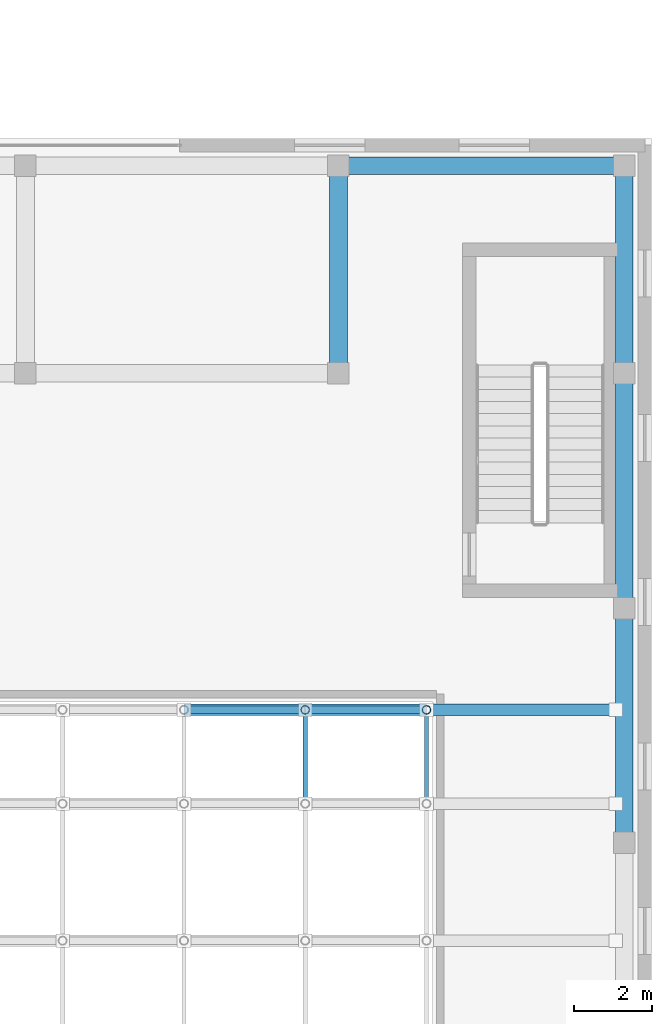
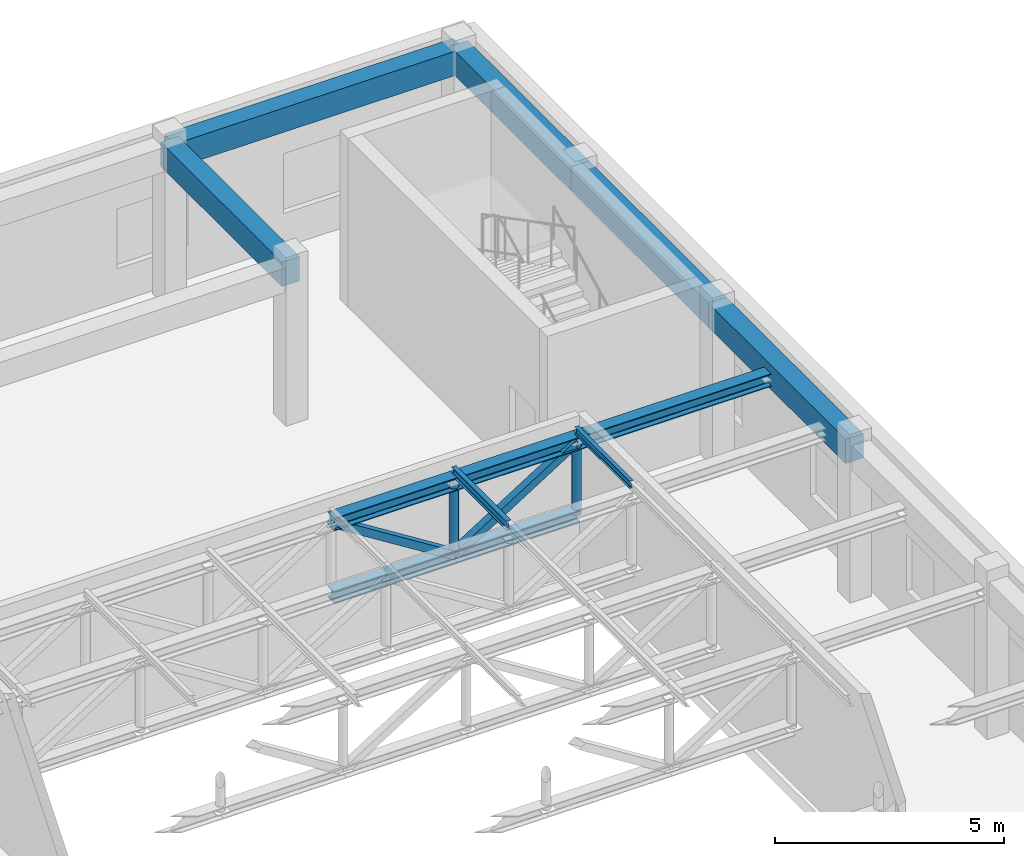
# One storey, part 21 of 33: 11 members, 5 beams.
"""IFC4 building model written with IfcOpenShell, lengths in metres."""

from ifc_helpers import new_model, si_unit, direction, frame, origin, origin_2d, place, context, subcontext, project, spatial, rectangle, hollow_rectangle, hollow_circle, i_section, extrude, source, transform, mapped, material, material_profile, profile_set, type_object, element, save


model = new_model("IFC4")

# Units and contexts
model_context = context("Model", 3, precision=1e-05, world=origin(), true_north=direction((0.0, 1.0)))
body_context = subcontext(model_context, "Body", "Model", "MODEL_VIEW")
ifc_project = project(units=[si_unit("LENGTHUNIT", "METRE"), si_unit("AREAUNIT", "SQUARE_METRE"), si_unit("VOLUMEUNIT", "CUBIC_METRE"), si_unit("PLANEANGLEUNIT", "RADIAN"), si_unit("MASSUNIT", "GRAM", prefix="KILO")], contexts=[model_context])

# Site, building, storey
site_placement = place(None, origin())
site = spatial("IfcSite", under=ifc_project, at=site_placement, CompositionType="ELEMENT")
building_placement = place(site_placement, origin())
building = spatial("IfcBuilding", under=site, at=building_placement, Name="Khoralis Quay Care Tower", CompositionType="ELEMENT")
storey_placement = place(building_placement, frame((0.0, 0.0, 18.0)))
storey = spatial("IfcBuildingStorey", under=building, at=storey_placement, Name="L04", CompositionType="ELEMENT", Elevation=18.0)

# Beams
ifc_material_1 = material(Name="Concrete C40/50", Category="concrete")
ifc_material_profile_1 = material_profile(ifc_material_1, rectangle(XDim=0.449951171875, YDim=0.64990234375, at=origin_2d()), Name="Concrete C40/50")
ifc_profile_set_1 = profile_set([ifc_material_profile_1], Name="Concrete C40/50")
beam_type = type_object("IfcBeamType", Name="BM-RC450X650", PredefinedType="BEAM", material=ifc_profile_set_1)
shared_shape_1 = source(origin(), body_context, "Body", "SweptSolid", [
    extrude(rectangle(XDim=0.449951171875, YDim=0.64990234375, at=origin_2d()), origin(), (0.0, 0.0, 1.0), 7.300048828125),
])
beam_placement = place(storey_placement, frame((100.0, 41.300048828125, 3.864990234375), z_axis=(1.0, 0.0, 0.0), x_axis=(0.0, 1.0, 0.0)))
element("IfcBeam", 1, at=beam_placement, inside=storey, type_object=beam_type, Name="BM-SCX-L04-23", PredefinedType="BEAM", context=body_context, shape_type="MappedRepresentation", body=[
    mapped(shared_shape_1, transform((0.0, 0.0, 0.0), scale=1.0)),
])
shared_shape_2 = source(origin(), body_context, "Body", "SweptSolid", [
    extrude(rectangle(XDim=0.449951171875, YDim=0.64990234375, at=origin_2d()), origin(), (0.0, 0.0, 1.0), 5.300048828125),
])
for number, where, z_axis, x_axis, name in (
    (2, (100.0, 36.0, 3.864990234375), (0.0, 1.0, 0.0), (-1.0, 0.0, 0.0), "BM-SCY-L04-45"),
    (3, (107.300048828125, 36.0, 3.864990234375), (0.0, 1.0, 0.0), (-1.0, 0.0, 0.0), "BM-SCY-L04-50"),
):
    element("IfcBeam", number, at=place(storey_placement, frame(where, z_axis=z_axis, x_axis=x_axis)), inside=storey, type_object=beam_type, Name=name, PredefinedType="BEAM", context=body_context, shape_type="MappedRepresentation", body=[
        mapped(shared_shape_2, transform((0.0, 0.0, 0.0), scale=1.0)),
    ])
shared_shape_3 = source(origin(), body_context, "Body", "SweptSolid", [
    extrude(rectangle(XDim=0.449951171875, YDim=0.64990234375, at=origin_2d()), origin(), (0.0, 0.0, 1.0), 6.0),
])
for number, where, z_axis, x_axis, name in (
    (4, (107.300048828125, 24.0, 3.864990234375), (0.0, 1.0, 0.0), (-1.0, 0.0, 0.0), "BM-SCY-L04-48"),
    (5, (107.300048828125, 30.0, 3.864990234375), (0.0, 1.0, 0.0), (-1.0, 0.0, 0.0), "BM-SCY-L04-49"),
):
    element("IfcBeam", number, at=place(storey_placement, frame(where, z_axis=z_axis, x_axis=x_axis)), inside=storey, type_object=beam_type, Name=name, PredefinedType="BEAM", context=body_context, shape_type="MappedRepresentation", body=[
        mapped(shared_shape_3, transform((0.0, 0.0, 0.0), scale=1.0)),
    ])

# Members
ifc_material_2 = material(Name="Steel S355", Category="steel")
ifc_material_profile_2 = material_profile(ifc_material_2, i_section(OverallWidth=0.300048828125, OverallDepth=0.340087890625, WebThickness=0.011962890625, FlangeThickness=0.021484375, FilletRadius=0.027099609375, at=origin_2d()), Name="Steel S355")
ifc_profile_set_2 = profile_set([ifc_material_profile_2], Name="Steel S355")
member_type_1 = type_object("IfcMemberType", Name="CH-HEB340", PredefinedType="CHORD", material=ifc_profile_set_2)
shared_shape_4 = source(origin(), body_context, "Body", "SweptSolid", [
    extrude(i_section(OverallWidth=0.300048828125, OverallDepth=0.340087890625, WebThickness=0.011962890625, FlangeThickness=0.021484375, FilletRadius=0.027099609375, at=origin_2d()), origin(), (0.0, 0.0, 1.0), 4.8349609375),
])
member_1_placement = place(storey_placement, frame((102.25, 27.39990234375, 3.800048828125), z_axis=(1.0, 0.0, 0.0), x_axis=(0.0, 1.0, 0.0)))
element("IfcMember", 6, at=member_1_placement, inside=storey, type_object=member_type_1, Name="MBR-SCTC-5-E", PredefinedType="CHORD", context=body_context, shape_type="MappedRepresentation", body=[
    mapped(shared_shape_4, transform((0.0, 0.0, 0.0), scale=1.0)),
])
shared_shape_5 = source(origin(), body_context, "Body", "SweptSolid", [
    extrude(i_section(OverallWidth=0.300048828125, OverallDepth=0.340087890625, WebThickness=0.011962890625, FlangeThickness=0.021484375, FilletRadius=0.027099609375, at=origin_2d()), origin(), (0.0, 0.0, 1.0), 3.10009765625),
])
member_2_placement = place(storey_placement, frame((99.14990234375, 27.39990234375, 3.800048828125), z_axis=(1.0, 0.0, 0.0), x_axis=(0.0, 1.0, 0.0)))
element("IfcMember", 7, at=member_2_placement, inside=storey, type_object=member_type_1, Name="MBR-SCTC-5-4", PredefinedType="CHORD", context=body_context, shape_type="MappedRepresentation", body=[
    mapped(shared_shape_5, transform((0.0, 0.0, 0.0), scale=1.0)),
])
ifc_material_profile_3 = material_profile(ifc_material_2, i_section(OverallWidth=0.300048828125, OverallDepth=0.300048828125, WebThickness=0.010986328125, FlangeThickness=0.01904296875, FilletRadius=0.027099609375, at=origin_2d()), Name="Steel S355")
ifc_profile_set_3 = profile_set([ifc_material_profile_3], Name="Steel S355")
member_type_2 = type_object("IfcMemberType", Name="CH-HEB300", PredefinedType="CHORD", material=ifc_profile_set_3)
shared_shape_6 = source(origin(), body_context, "Body", "SweptSolid", [
    extrude(i_section(OverallWidth=0.300048828125, OverallDepth=0.300048828125, WebThickness=0.010986328125, FlangeThickness=0.01904296875, FilletRadius=0.027099609375, at=origin_2d()), origin(), (0.0, 0.0, 1.0), 3.10009765625),
])
member_3_placement = place(storey_placement, frame((99.14990234375, 27.39990234375, 1.85009765625), z_axis=(1.0, 0.0, 0.0), x_axis=(0.0, 1.0, 0.0)))
element("IfcMember", 8, at=member_3_placement, inside=storey, type_object=member_type_2, Name="MBR-SCBC-5-4", PredefinedType="CHORD", context=body_context, shape_type="MappedRepresentation", body=[
    mapped(shared_shape_6, transform((0.0, 0.0, 0.0), scale=1.0)),
])
ifc_material_profile_4 = material_profile(ifc_material_2, hollow_rectangle(XDim=0.199951171875, YDim=0.199951171875, WallThickness=0.010009765625, at=origin_2d()), Name="Steel S355")
ifc_profile_set_4 = profile_set([ifc_material_profile_4], Name="Steel S355")
member_type_3 = type_object("IfcMemberType", Name="BR-RHS200X200X10", PredefinedType="BRACE", material=ifc_profile_set_4)
shared_shape_7 = source(origin(), body_context, "Body", "SweptSolid", [
    extrude(hollow_rectangle(XDim=0.199951171875, YDim=0.199951171875, WallThickness=0.010009765625, at=origin_2d()), origin(), (0.0, 0.0, 1.0), 3.662353515625),
])
member_4_placement = place(storey_placement, frame((99.14990234375, 27.39990234375, 1.85009765625), z_axis=(0.846474321082, 0.0, 0.532429548156), x_axis=(0.0, 1.0, 0.0)))
element("IfcMember", 9, at=member_4_placement, inside=storey, type_object=member_type_3, Name="L04 School Roof Truss Brace 5.4", PredefinedType="BRACE", context=body_context, shape_type="MappedRepresentation", body=[
    mapped(shared_shape_7, transform((0.0, 0.0, 0.0), scale=1.0)),
])
shared_shape_8 = source(origin(), body_context, "Body", "SweptSolid", [
    extrude(i_section(OverallWidth=0.300048828125, OverallDepth=0.340087890625, WebThickness=0.011962890625, FlangeThickness=0.021484375, FilletRadius=0.027099609375, at=origin_2d()), origin(), (0.0, 0.0, 1.0), 3.099853515625),
])
member_5_placement = place(storey_placement, frame((96.050048828125, 27.39990234375, 3.800048828125), z_axis=(1.0, 0.0, 0.0), x_axis=(0.0, 1.0, 0.0)))
element("IfcMember", 10, at=member_5_placement, inside=storey, type_object=member_type_1, Name="MBR-SCTC-5-3", PredefinedType="CHORD", context=body_context, shape_type="MappedRepresentation", body=[
    mapped(shared_shape_8, transform((0.0, 0.0, 0.0), scale=1.0)),
])
shared_shape_9 = source(origin(), body_context, "Body", "SweptSolid", [
    extrude(i_section(OverallWidth=0.300048828125, OverallDepth=0.300048828125, WebThickness=0.010986328125, FlangeThickness=0.01904296875, FilletRadius=0.027099609375, at=origin_2d()), origin(), (0.0, 0.0, 1.0), 3.099853515625),
])
member_6_placement = place(storey_placement, frame((96.050048828125, 27.39990234375, 1.85009765625), z_axis=(1.0, 0.0, 0.0), x_axis=(0.0, 1.0, 0.0)))
element("IfcMember", 11, at=member_6_placement, inside=storey, type_object=member_type_2, Name="MBR-SCBC-5-3", PredefinedType="CHORD", context=body_context, shape_type="MappedRepresentation", body=[
    mapped(shared_shape_9, transform((0.0, 0.0, 0.0), scale=1.0)),
])
shared_shape_10 = source(origin(), body_context, "Body", "SweptSolid", [
    extrude(hollow_rectangle(XDim=0.199951171875, YDim=0.199951171875, WallThickness=0.010009765625, at=origin_2d()), origin(), (0.0, 0.0, 1.0), 3.662109375),
])
member_7_placement = place(storey_placement, frame((96.050048828125, 27.39990234375, 3.800048828125), z_axis=(0.846455422051, 0.0, -0.532459593284), x_axis=(0.0, 1.0, 0.0)))
element("IfcMember", 12, at=member_7_placement, inside=storey, type_object=member_type_3, Name="L04 School Roof Truss Brace 5.3", PredefinedType="BRACE", context=body_context, shape_type="MappedRepresentation", body=[
    mapped(shared_shape_10, transform((0.0, 0.0, 0.0), scale=1.0)),
])
ifc_material_profile_5 = material_profile(ifc_material_2, hollow_circle(Radius=0.109619140625, WallThickness=0.010009765625, at=origin_2d()), Name="Steel S355")
ifc_profile_set_5 = profile_set([ifc_material_profile_5], Name="Steel S355")
member_type_4 = type_object("IfcMemberType", Name="ST-CHS219X10", PredefinedType="STRUT", material=ifc_profile_set_5)
shared_shape_11 = source(origin(), body_context, "Body", "SweptSolid", [
    extrude(hollow_circle(Radius=0.109619140625, WallThickness=0.010009765625, at=origin_2d()), origin(), (0.0, 0.0, 1.0), 1.949951171875),
])
for number, where, z_axis, x_axis, name in (
    (13, (99.14990234375, 27.39990234375, 1.85009765625), (0.0, 0.0, 1.0), (1.0, 0.0, 0.0), "MBR-SCVT-5-4"),
    (14, (102.25, 27.39990234375, 1.85009765625), (0.0, 0.0, 1.0), (1.0, 0.0, 0.0), "MBR-SCVT-5-5"),
):
    element("IfcMember", number, at=place(storey_placement, frame(where, z_axis=z_axis, x_axis=x_axis)), inside=storey, type_object=member_type_4, Name=name, PredefinedType="STRUT", context=body_context, shape_type="MappedRepresentation", body=[
        mapped(shared_shape_11, transform((0.0, 0.0, 0.0), scale=1.0)),
    ])
ifc_material_profile_6 = material_profile(ifc_material_2, i_section(OverallWidth=0.1201171875, OverallDepth=0.239990234375, WebThickness=0.006103515625, FlangeThickness=0.009765625, FilletRadius=0.014892578125, at=origin_2d()), Name="Steel S355")
ifc_profile_set_6 = profile_set([ifc_material_profile_6], Name="Steel S355")
member_type_5 = type_object("IfcMemberType", Name="PR-IPE240", PredefinedType="PURLIN", material=ifc_profile_set_6)
shared_shape_12 = source(origin(), body_context, "Body", "SweptSolid", [
    extrude(i_section(OverallWidth=0.1201171875, OverallDepth=0.239990234375, WebThickness=0.006103515625, FlangeThickness=0.009765625, FilletRadius=0.014892578125, at=origin_2d()), origin(), (0.0, 0.0, 1.0), 2.39990234375),
])
member_8_placement = place(storey_placement, frame((99.14990234375, 25.0, 4.070068359375), z_axis=(0.0, 1.0, 0.0), x_axis=(-1.0, 0.0, 0.0)))
element("IfcMember", 15, at=member_8_placement, inside=storey, type_object=member_type_5, Name="MBR-SCPR-5-4", PredefinedType="PURLIN", context=body_context, shape_type="MappedRepresentation", body=[
    mapped(shared_shape_12, transform((0.0, 0.0, 0.0), scale=1.0)),
])
ifc_material_profile_7 = material_profile(ifc_material_2, i_section(OverallWidth=0.10009765625, OverallDepth=0.199951171875, WebThickness=0.005615234375, FlangeThickness=0.008544921875, FilletRadius=0.011962890625, at=origin_2d()), Name="Steel S355")
ifc_profile_set_7 = profile_set([ifc_material_profile_7], Name="Steel S355")
member_type_6 = type_object("IfcMemberType", Name="PR-IPE200", PredefinedType="PURLIN", material=ifc_profile_set_7)
shared_shape_13 = source(origin(), body_context, "Body", "SweptSolid", [
    extrude(i_section(OverallWidth=0.10009765625, OverallDepth=0.199951171875, WebThickness=0.005615234375, FlangeThickness=0.008544921875, FilletRadius=0.011962890625, at=origin_2d()), origin(), (0.0, 0.0, 1.0), 2.39990234375),
])
member_9_placement = place(storey_placement, frame((102.25, 25.0, 4.070068359375), z_axis=(0.0, 1.0, 0.0), x_axis=(-1.0, 0.0, 0.0)))
element("IfcMember", 16, at=member_9_placement, inside=storey, type_object=member_type_6, Name="MBR-SCPR-6-4", PredefinedType="PURLIN", context=body_context, shape_type="MappedRepresentation", body=[
    mapped(shared_shape_13, transform((0.0, 0.0, 0.0), scale=1.0)),
])

save(model, "model.ifc")
